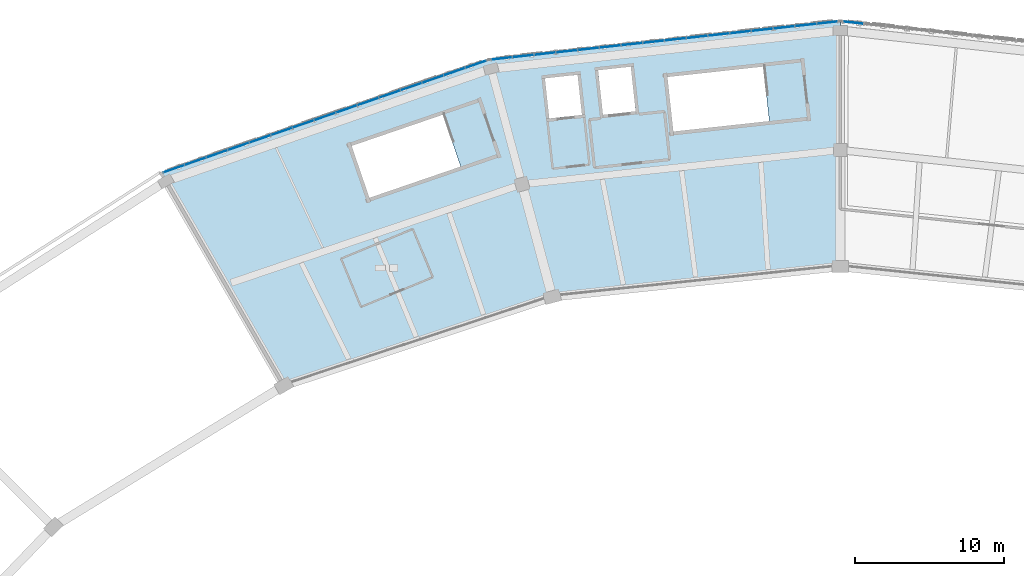
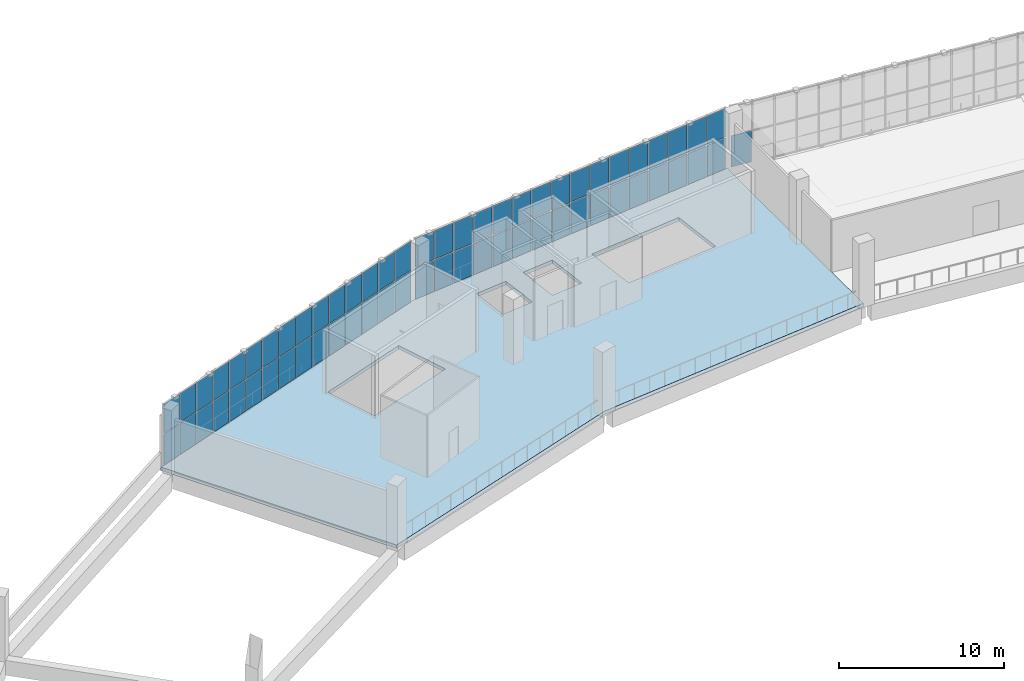
# One storey, part 40 of 64: 63 plates, 1 slab, 3 elements without a shape of their own.
"""IFC4 building model written with IfcOpenShell, lengths in metres."""

import ifcopenshell
import ifcopenshell.guid

model = None  # the IFC model being written
_history = None  # IfcOwnerHistory: only IFC2X3 demands one
_inside = {}  # id of a spatial element -> (the spatial element, [elements in it])
_under = {}  # id of a project, library or spatial element -> (it, [spatial elements below it])
_declared = {}  # id of a project -> (the project, [libraries it declares])
_typed = {}  # id of a type object -> (the type object, [elements of that type])
_made_of = {}  # id of a material, layer set ... -> (it, [elements and type objects made of it])


def new_model(schema):
    """Start an empty IFC model of exactly this schema.

    Asked for "IFC4X3", IfcOpenShell would pick the latest addendum, in which some entities
    have other attributes; the version numbers below select the first issue.
    IFC2X3 requires an IfcOwnerHistory on every rooted entity: one is made here for all.
    """
    global model, _history
    if schema == "IFC4X3":
        model = ifcopenshell.file(schema_version=(4, 3, 0, 0))
    else:
        model = ifcopenshell.file(schema=schema)
    _inside.clear()
    _under.clear()
    _declared.clear()
    _typed.clear()
    _made_of.clear()
    _history = None
    if model.schema == "IFC2X3":
        org = make("IfcOrganization", Name="unknown")
        user = make(
            "IfcPersonAndOrganization",
            ThePerson=make("IfcPerson", FamilyName="unknown"),
            TheOrganization=org,
        )
        app = make(
            "IfcApplication",
            ApplicationDeveloper=org,
            Version="unknown",
            ApplicationFullName="unknown",
            ApplicationIdentifier="unknown",
        )
        _history = make(
            "IfcOwnerHistory",
            OwningUser=user,
            OwningApplication=app,
            ChangeAction="ADDED",
            CreationDate=0,
        )
    return model


def make(cls, **values):
    """One entity of the class cls with the attributes given. An attribute that is None is left unset."""
    return model.create_entity(
        cls, **{name: value for name, value in values.items() if value is not None}
    )


def rooted(cls, **values):
    """An entity with a GlobalId (a new one), such as an element, a storey or a relation."""
    return make(cls, GlobalId=ifcopenshell.guid.new(), OwnerHistory=_history, **values)


def si_unit(unit_type, name, prefix=None):
    """IfcSIUnit, for example si_unit("LENGTHUNIT", "METRE", prefix="MILLI")."""
    return make("IfcSIUnit", UnitType=unit_type, Prefix=prefix, Name=name)


def assignment(units):
    """IfcUnitAssignment: the units of a project."""
    return None if units is None else make("IfcUnitAssignment", Units=units)


def point(xyz):
    """IfcCartesianPoint."""
    return None if xyz is None else make("IfcCartesianPoint", Coordinates=xyz)


def direction(xyz):
    """IfcDirection."""
    return None if xyz is None else make("IfcDirection", DirectionRatios=xyz)


def frame(location, z_axis=None, x_axis=None):
    """IfcAxis2Placement3D, a coordinate frame: its origin and axes. An axis left out is left unset."""
    return make(
        "IfcAxis2Placement3D",
        Location=point(location),
        Axis=direction(z_axis),
        RefDirection=direction(x_axis),
    )


def frame_2d(location, x_axis=None):
    """IfcAxis2Placement2D, a coordinate frame in the plane: its origin and x axis."""
    return make(
        "IfcAxis2Placement2D", Location=point(location), RefDirection=direction(x_axis)
    )


def origin():
    """The frame at (0, 0, 0) with its axes left unset."""
    return frame((0.0, 0.0, 0.0))


def origin_2d():
    """The frame at (0, 0) in the plane with its x axis left unset."""
    return frame_2d((0.0, 0.0))


def place(relative_to, where):
    """IfcLocalPlacement: puts the frame where relative to a parent placement (None: the world)."""
    return make(
        "IfcLocalPlacement", PlacementRelTo=relative_to, RelativePlacement=where
    )


def context(
    kind, dimensions, precision=None, world=None, true_north=None, identifier=None
):
    """IfcGeometricRepresentationContext, for example the 3D "Model" context."""
    return make(
        "IfcGeometricRepresentationContext",
        ContextIdentifier=identifier,
        ContextType=kind,
        CoordinateSpaceDimension=dimensions,
        Precision=precision,
        WorldCoordinateSystem=world,
        TrueNorth=true_north,
    )


def subcontext(parent, identifier, kind, view, scale=None):
    """IfcGeometricRepresentationSubContext, for example "Body" below "Model"."""
    return make(
        "IfcGeometricRepresentationSubContext",
        ContextIdentifier=identifier,
        ContextType=kind,
        ParentContext=parent,
        TargetScale=scale,
        TargetView=view,
    )


def project(units=None, contexts=None):
    """IfcProject with its units and contexts."""
    return rooted(
        "IfcProject",
        Name="project",
        RepresentationContexts=contexts,
        UnitsInContext=assignment(units),
    )


def spatial(cls, under=None, at=None, **own):
    """A site, building, storey or space (cls), placed at a placement, below another one or the project."""
    s = rooted(cls, ObjectPlacement=at, **own)
    if under is not None:
        _under.setdefault(under.id(), (under, []))[1].append(s)
    return s


def polyline(points):
    """IfcPolyline through the points."""
    return make("IfcPolyline", Points=[point(p) for p in points])


def profile(cls, at=None, kind="AREA", **sizes):
    """A parametric profile (cls). Its sizes go by their IFC names, for example OverallWidth=200.0."""
    return make(cls, ProfileType=kind, Position=at, **sizes)


def rectangle(**sizes):
    """IfcRectangleProfileDef."""
    return profile("IfcRectangleProfileDef", **sizes)


def outline(outer, holes=None, kind="AREA"):
    """IfcArbitraryClosedProfileDef: a profile drawn as a closed curve; with holes, ...WithVoids."""
    if holes is None:
        return make("IfcArbitraryClosedProfileDef", ProfileType=kind, OuterCurve=outer)
    return make(
        "IfcArbitraryProfileDefWithVoids",
        ProfileType=kind,
        OuterCurve=outer,
        InnerCurves=holes,
    )


def extrude(swept, where, along, depth):
    """IfcExtrudedAreaSolid: the profile swept, set in the frame where, extruded along a direction by depth."""
    return make(
        "IfcExtrudedAreaSolid",
        SweptArea=swept,
        Position=where,
        ExtrudedDirection=direction(along),
        Depth=depth,
    )


def shape(context_of_items, identifier, shape_type, items):
    """IfcShapeRepresentation: the items that make up one representation, for example the "Body"."""
    return make(
        "IfcShapeRepresentation",
        ContextOfItems=context_of_items,
        RepresentationIdentifier=identifier,
        RepresentationType=shape_type,
        Items=items,
    )


def material(Name=None, Category=None):
    """IfcMaterial."""
    return make("IfcMaterial", Name=Name, Category=Category)


def layer(
    of_material, thickness, ventilated=None, Name=None, Category=None, Priority=None
):
    """IfcMaterialLayer: one layer of a wall or slab, of a material (None: an air gap)."""
    return make(
        "IfcMaterialLayer",
        Material=of_material,
        LayerThickness=thickness,
        IsVentilated=ventilated,
        Name=Name,
        Category=Category,
        Priority=Priority,
    )


def layer_set(layers, Name=None):
    """IfcMaterialLayerSet."""
    return make("IfcMaterialLayerSet", MaterialLayers=layers, LayerSetName=Name)


def made_of(thing, what):
    """Note that an element or type object is made of a material, layer set ...; save() writes the relation."""
    if what is not None:
        _made_of.setdefault(what.id(), (what, []))[1].append(thing)
    return thing


def type_object(cls, material=None, **own):
    """A type object (cls), such as IfcWallType, which elements share."""
    return made_of(rooted(cls, **own), material)


def element(
    cls,
    number,
    at=None,
    inside=None,
    cuts=None,
    type_object=None,
    material=None,
    context=None,
    identifier="Body",
    shape_type=None,
    held_by="IfcProductDefinitionShape",
    body=None,
    shapes=None,
    **own,
):
    """One element of the class cls, such as IfcWall. Its Tag is "e" and its number.

    at: its placement. inside: the storey or other place that contains it. cuts: it is an
    opening in that element (IfcRelVoidsElement). A single representation is given by context,
    identifier, shape_type and body (its items); several are given by shapes. held_by: the class
    of the entity that holds the representations. save() writes the other relations.
    """
    e = rooted(cls, Tag="e%d" % number, ObjectPlacement=at, **own)
    if body is not None:
        shapes = [shape(context, identifier, shape_type, body)]
    if shapes is not None:
        e.Representation = make(held_by, Representations=shapes)
    if inside is not None:
        _inside.setdefault(inside.id(), (inside, []))[1].append(e)
    if cuts is not None:
        rooted(
            "IfcRelVoidsElement", RelatingBuildingElement=cuts, RelatedOpeningElement=e
        )
    if type_object is not None:
        _typed.setdefault(type_object.id(), (type_object, []))[1].append(e)
    return made_of(e, material)


def aggregate(whole, parts):
    """IfcRelAggregates: a whole, such as a stair, and the parts it consists of."""
    return rooted("IfcRelAggregates", RelatingObject=whole, RelatedObjects=parts)


def save(model, path):
    """Write the relations noted so far, then the file.

    IfcRelAggregates (storeys below a building ...), IfcRelContainedInSpatialStructure (elements
    in a storey), IfcRelDefinesByType, IfcRelAssociatesMaterial and IfcRelDeclares: one each for
    every whole, place, type object, material and project.
    """
    for whole, parts in _under.values():
        aggregate(whole, parts)
    for where, things in _inside.values():
        rooted(
            "IfcRelContainedInSpatialStructure",
            RelatedElements=things,
            RelatingStructure=where,
        )
    for kind, things in _typed.values():
        rooted("IfcRelDefinesByType", RelatedObjects=things, RelatingType=kind)
    for what, things in _made_of.values():
        rooted("IfcRelAssociatesMaterial", RelatedObjects=things, RelatingMaterial=what)
    for by, libraries in _declared.values():
        rooted("IfcRelDeclares", RelatingContext=by, RelatedDefinitions=libraries)
    model.write(path)


model = new_model("IFC4")

# Units and contexts
model_context = context("Model", 3, precision=1e-05, world=origin(), true_north=direction((0.0, 1.0)))
body_context = subcontext(model_context, "Body", "Model", "MODEL_VIEW")
ifc_project = project(units=[si_unit("LENGTHUNIT", "METRE"), si_unit("AREAUNIT", "SQUARE_METRE"), si_unit("VOLUMEUNIT", "CUBIC_METRE"), si_unit("PLANEANGLEUNIT", "RADIAN"), si_unit("MASSUNIT", "GRAM", prefix="KILO")], contexts=[model_context])

# Site, building, storey
site_placement = place(None, origin())
site = spatial("IfcSite", under=ifc_project, at=site_placement, CompositionType="ELEMENT")
building_placement = place(site_placement, origin())
building = spatial("IfcBuilding", under=site, at=building_placement, Name="Zevraka Park Crest Stadium", CompositionType="ELEMENT")
storey_placement = place(building_placement, frame((0.0, 0.0, 24.60009765625)))
storey = spatial("IfcBuildingStorey", under=building, at=storey_placement, Name="L05", CompositionType="ELEMENT", Elevation=24.60009765625)

# Curtain wall, plate
ifc_material_1 = material(Name="Anodised architectural aluminium and laminated safety glass", Category="aluminium")
curtain_wall_type_1 = type_object("IfcCurtainWallType", Name="CW21", PredefinedType="NOTDEFINED", material=ifc_material_1)
curtain_wall_1_placement = place(storey_placement, origin())
curtain_wall_1 = element("IfcCurtainWall", 1, at=curtain_wall_1_placement, inside=storey, type_object=curtain_wall_type_1, Name="Unitised Ring Curtain Wall CW21 L05-05", PredefinedType="NOTDEFINED")
ifc_material_2 = material(Name="Solar-control laminated double glazing", Category="glass")
ifc_layer_1 = layer(ifc_material_2, 0.031982421875)
ifc_layer_set_1 = layer_set([ifc_layer_1], Name="Solar-control laminated double glazing")
plate_type_1 = type_object("IfcPlateType", Name="CP21", PredefinedType="CURTAIN_PANEL", material=ifc_layer_set_1)
plate_1_placement = place(storey_placement, frame((112.874755859375, 167.822998046875, 0.06982421875), z_axis=(0.0, 0.0, 1.0), x_axis=(-0.994010156572, 0.109287733215, 0.0)))
plate_1 = element("IfcPlate", 2, at=plate_1_placement, type_object=plate_type_1, Name="CW21 panel 16.1", PredefinedType="CURTAIN_PANEL", context=body_context, shape_type="SweptSolid", body=[
    extrude(rectangle(XDim=1.3583984375, YDim=0.031982421875, at=origin_2d()), origin(), (0.0, 0.0, 1.0), 2.294921875),
])
aggregate(curtain_wall_1, [plate_1])

# Curtain wall, plates
curtain_wall_2_placement = place(storey_placement, origin())
curtain_wall_2 = element("IfcCurtainWall", 3, at=curtain_wall_2_placement, inside=storey, type_object=curtain_wall_type_1, Name="Unitised Ring Curtain Wall CW21 L05-06", PredefinedType="NOTDEFINED")
plate_2_placement = place(storey_placement, frame((111.125244140625, 167.822998046875, 0.06982421875), z_axis=(0.0, 0.0, 1.0), x_axis=(-0.994010156572, -0.109287733215, 0.0)))
plate_2 = element("IfcPlate", 4, at=plate_2_placement, type_object=plate_type_1, Name="CW21 panel 1.1", PredefinedType="CURTAIN_PANEL", context=body_context, shape_type="SweptSolid", body=[
    extrude(rectangle(XDim=1.3583984375, YDim=0.031982421875, at=origin_2d()), origin(), (0.0, 0.0, 1.0), 2.294921875),
])
plate_3_placement = place(storey_placement, frame((111.125244140625, 167.822998046875, 2.43505859375), z_axis=(0.0, 0.0, 1.0), x_axis=(-0.994010156572, -0.109287733215, 0.0)))
plate_3 = element("IfcPlate", 5, at=plate_3_placement, type_object=plate_type_1, Name="CW21 panel 1.2", PredefinedType="CURTAIN_PANEL", context=body_context, shape_type="SweptSolid", body=[
    extrude(rectangle(XDim=1.3583984375, YDim=0.031982421875, at=origin_2d()), origin(), (0.0, 0.0, 1.0), 2.114990234375),
])
plate_4_placement = place(storey_placement, frame((109.68798828125, 167.6650390625, 0.06982421875), z_axis=(0.0, 0.0, 1.0), x_axis=(-0.994010156572, -0.109287733215, 0.0)))
plate_4 = element("IfcPlate", 6, at=plate_4_placement, type_object=plate_type_1, Name="CW21 panel 2.1", PredefinedType="CURTAIN_PANEL", context=body_context, shape_type="SweptSolid", body=[
    extrude(rectangle(XDim=1.3935546875, YDim=0.031982421875, at=origin_2d()), origin(), (0.0, 0.0, 1.0), 2.294921875),
])
plate_5_placement = place(storey_placement, frame((109.68798828125, 167.6650390625, 2.43505859375), z_axis=(0.0, 0.0, 1.0), x_axis=(-0.994010156572, -0.109287733215, 0.0)))
plate_5 = element("IfcPlate", 7, at=plate_5_placement, type_object=plate_type_1, Name="CW21 panel 2.2", PredefinedType="CURTAIN_PANEL", context=body_context, shape_type="SweptSolid", body=[
    extrude(rectangle(XDim=1.3935546875, YDim=0.031982421875, at=origin_2d()), origin(), (0.0, 0.0, 1.0), 2.114990234375),
])
plate_6_placement = place(storey_placement, frame((108.2333984375, 167.505126953125, 0.06982421875), z_axis=(0.0, 0.0, 1.0), x_axis=(-0.994010156572, -0.109287733215, 0.0)))
plate_6 = element("IfcPlate", 8, at=plate_6_placement, type_object=plate_type_1, Name="CW21 panel 3.1", PredefinedType="CURTAIN_PANEL", context=body_context, shape_type="SweptSolid", body=[
    extrude(rectangle(XDim=1.3935546875, YDim=0.031982421875, at=origin_2d()), origin(), (0.0, 0.0, 1.0), 2.294921875),
])
plate_7_placement = place(storey_placement, frame((108.2333984375, 167.505126953125, 2.43505859375), z_axis=(0.0, 0.0, 1.0), x_axis=(-0.994010156572, -0.109287733215, 0.0)))
plate_7 = element("IfcPlate", 9, at=plate_7_placement, type_object=plate_type_1, Name="CW21 panel 3.2", PredefinedType="CURTAIN_PANEL", context=body_context, shape_type="SweptSolid", body=[
    extrude(rectangle(XDim=1.3935546875, YDim=0.031982421875, at=origin_2d()), origin(), (0.0, 0.0, 1.0), 2.114990234375),
])
plate_8_placement = place(storey_placement, frame((106.778564453125, 167.34521484375, 0.06982421875), z_axis=(0.0, 0.0, 1.0), x_axis=(-0.994010156572, -0.109287733215, 0.0)))
plate_8 = element("IfcPlate", 10, at=plate_8_placement, type_object=plate_type_1, Name="CW21 panel 4.1", PredefinedType="CURTAIN_PANEL", context=body_context, shape_type="SweptSolid", body=[
    extrude(rectangle(XDim=1.3935546875, YDim=0.031982421875, at=origin_2d()), origin(), (0.0, 0.0, 1.0), 2.294921875),
])
plate_9_placement = place(storey_placement, frame((106.778564453125, 167.34521484375, 2.43505859375), z_axis=(0.0, 0.0, 1.0), x_axis=(-0.994010156572, -0.109287733215, 0.0)))
plate_9 = element("IfcPlate", 11, at=plate_9_placement, type_object=plate_type_1, Name="CW21 panel 4.2", PredefinedType="CURTAIN_PANEL", context=body_context, shape_type="SweptSolid", body=[
    extrude(rectangle(XDim=1.3935546875, YDim=0.031982421875, at=origin_2d()), origin(), (0.0, 0.0, 1.0), 2.114990234375),
])
plate_10_placement = place(storey_placement, frame((105.323974609375, 167.185302734375, 0.06982421875), z_axis=(0.0, 0.0, 1.0), x_axis=(-0.994010156572, -0.109287733215, 0.0)))
plate_10 = element("IfcPlate", 12, at=plate_10_placement, type_object=plate_type_1, Name="CW21 panel 5.1", PredefinedType="CURTAIN_PANEL", context=body_context, shape_type="SweptSolid", body=[
    extrude(rectangle(XDim=1.3935546875, YDim=0.031982421875, at=origin_2d()), origin(), (0.0, 0.0, 1.0), 2.294921875),
])
plate_11_placement = place(storey_placement, frame((105.323974609375, 167.185302734375, 2.43505859375), z_axis=(0.0, 0.0, 1.0), x_axis=(-0.994010156572, -0.109287733215, 0.0)))
plate_11 = element("IfcPlate", 13, at=plate_11_placement, type_object=plate_type_1, Name="CW21 panel 5.2", PredefinedType="CURTAIN_PANEL", context=body_context, shape_type="SweptSolid", body=[
    extrude(rectangle(XDim=1.3935546875, YDim=0.031982421875, at=origin_2d()), origin(), (0.0, 0.0, 1.0), 2.114990234375),
])
plate_12_placement = place(storey_placement, frame((103.869140625, 167.025390625, 0.06982421875), z_axis=(0.0, 0.0, 1.0), x_axis=(-0.994010156572, -0.109287733215, 0.0)))
plate_12 = element("IfcPlate", 14, at=plate_12_placement, type_object=plate_type_1, Name="CW21 panel 6.1", PredefinedType="CURTAIN_PANEL", context=body_context, shape_type="SweptSolid", body=[
    extrude(rectangle(XDim=1.3935546875, YDim=0.031982421875, at=origin_2d()), origin(), (0.0, 0.0, 1.0), 2.294921875),
])
plate_13_placement = place(storey_placement, frame((103.869140625, 167.025390625, 2.43505859375), z_axis=(0.0, 0.0, 1.0), x_axis=(-0.994010156572, -0.109287733215, 0.0)))
plate_13 = element("IfcPlate", 15, at=plate_13_placement, type_object=plate_type_1, Name="CW21 panel 6.2", PredefinedType="CURTAIN_PANEL", context=body_context, shape_type="SweptSolid", body=[
    extrude(rectangle(XDim=1.3935546875, YDim=0.031982421875, at=origin_2d()), origin(), (0.0, 0.0, 1.0), 2.114990234375),
])
plate_14_placement = place(storey_placement, frame((102.41455078125, 166.865478515625, 0.06982421875), z_axis=(0.0, 0.0, 1.0), x_axis=(-0.994010156572, -0.109287733215, 0.0)))
plate_14 = element("IfcPlate", 16, at=plate_14_placement, type_object=plate_type_1, Name="CW21 panel 7.1", PredefinedType="CURTAIN_PANEL", context=body_context, shape_type="SweptSolid", body=[
    extrude(rectangle(XDim=1.3935546875, YDim=0.031982421875, at=origin_2d()), origin(), (0.0, 0.0, 1.0), 2.294921875),
])
plate_15_placement = place(storey_placement, frame((102.41455078125, 166.865478515625, 2.43505859375), z_axis=(0.0, 0.0, 1.0), x_axis=(-0.994010156572, -0.109287733215, 0.0)))
plate_15 = element("IfcPlate", 17, at=plate_15_placement, type_object=plate_type_1, Name="CW21 panel 7.2", PredefinedType="CURTAIN_PANEL", context=body_context, shape_type="SweptSolid", body=[
    extrude(rectangle(XDim=1.3935546875, YDim=0.031982421875, at=origin_2d()), origin(), (0.0, 0.0, 1.0), 2.114990234375),
])
plate_16_placement = place(storey_placement, frame((100.9599609375, 166.70556640625, 0.06982421875), z_axis=(0.0, 0.0, 1.0), x_axis=(-0.994010156572, -0.109287733215, 0.0)))
plate_16 = element("IfcPlate", 18, at=plate_16_placement, type_object=plate_type_1, Name="CW21 panel 8.1", PredefinedType="CURTAIN_PANEL", context=body_context, shape_type="SweptSolid", body=[
    extrude(rectangle(XDim=1.3935546875, YDim=0.031982421875, at=origin_2d()), origin(), (0.0, 0.0, 1.0), 2.294921875),
])
plate_17_placement = place(storey_placement, frame((100.9599609375, 166.70556640625, 2.43505859375), z_axis=(0.0, 0.0, 1.0), x_axis=(-0.994010156572, -0.109287733215, 0.0)))
plate_17 = element("IfcPlate", 19, at=plate_17_placement, type_object=plate_type_1, Name="CW21 panel 8.2", PredefinedType="CURTAIN_PANEL", context=body_context, shape_type="SweptSolid", body=[
    extrude(rectangle(XDim=1.3935546875, YDim=0.031982421875, at=origin_2d()), origin(), (0.0, 0.0, 1.0), 2.114990234375),
])
plate_18_placement = place(storey_placement, frame((99.505126953125, 166.54541015625, 0.06982421875), z_axis=(0.0, 0.0, 1.0), x_axis=(-0.994010156572, -0.109287733215, 0.0)))
plate_18 = element("IfcPlate", 20, at=plate_18_placement, type_object=plate_type_1, Name="CW21 panel 9.1", PredefinedType="CURTAIN_PANEL", context=body_context, shape_type="SweptSolid", body=[
    extrude(rectangle(XDim=1.3935546875, YDim=0.031982421875, at=origin_2d()), origin(), (0.0, 0.0, 1.0), 2.294921875),
])
plate_19_placement = place(storey_placement, frame((99.505126953125, 166.54541015625, 2.43505859375), z_axis=(0.0, 0.0, 1.0), x_axis=(-0.994010156572, -0.109287733215, 0.0)))
plate_19 = element("IfcPlate", 21, at=plate_19_placement, type_object=plate_type_1, Name="CW21 panel 9.2", PredefinedType="CURTAIN_PANEL", context=body_context, shape_type="SweptSolid", body=[
    extrude(rectangle(XDim=1.3935546875, YDim=0.031982421875, at=origin_2d()), origin(), (0.0, 0.0, 1.0), 2.114990234375),
])
plate_20_placement = place(storey_placement, frame((98.050537109375, 166.385498046875, 0.06982421875), z_axis=(0.0, 0.0, 1.0), x_axis=(-0.994010156572, -0.109287733215, 0.0)))
plate_20 = element("IfcPlate", 22, at=plate_20_placement, type_object=plate_type_1, Name="CW21 panel 10.1", PredefinedType="CURTAIN_PANEL", context=body_context, shape_type="SweptSolid", body=[
    extrude(rectangle(XDim=1.3935546875, YDim=0.031982421875, at=origin_2d()), origin(), (0.0, 0.0, 1.0), 2.294921875),
])
plate_21_placement = place(storey_placement, frame((98.050537109375, 166.385498046875, 2.43505859375), z_axis=(0.0, 0.0, 1.0), x_axis=(-0.994010156572, -0.109287733215, 0.0)))
plate_21 = element("IfcPlate", 23, at=plate_21_placement, type_object=plate_type_1, Name="CW21 panel 10.2", PredefinedType="CURTAIN_PANEL", context=body_context, shape_type="SweptSolid", body=[
    extrude(rectangle(XDim=1.3935546875, YDim=0.031982421875, at=origin_2d()), origin(), (0.0, 0.0, 1.0), 2.114990234375),
])
plate_22_placement = place(storey_placement, frame((96.595703125, 166.2255859375, 0.06982421875), z_axis=(0.0, 0.0, 1.0), x_axis=(-0.994010156572, -0.109287733215, 0.0)))
plate_22 = element("IfcPlate", 24, at=plate_22_placement, type_object=plate_type_1, Name="CW21 panel 11.1", PredefinedType="CURTAIN_PANEL", context=body_context, shape_type="SweptSolid", body=[
    extrude(rectangle(XDim=1.3935546875, YDim=0.031982421875, at=origin_2d()), origin(), (0.0, 0.0, 1.0), 2.294921875),
])
plate_23_placement = place(storey_placement, frame((96.595703125, 166.2255859375, 2.43505859375), z_axis=(0.0, 0.0, 1.0), x_axis=(-0.994010156572, -0.109287733215, 0.0)))
plate_23 = element("IfcPlate", 25, at=plate_23_placement, type_object=plate_type_1, Name="CW21 panel 11.2", PredefinedType="CURTAIN_PANEL", context=body_context, shape_type="SweptSolid", body=[
    extrude(rectangle(XDim=1.3935546875, YDim=0.031982421875, at=origin_2d()), origin(), (0.0, 0.0, 1.0), 2.114990234375),
])
plate_24_placement = place(storey_placement, frame((95.14111328125, 166.065673828125, 0.06982421875), z_axis=(0.0, 0.0, 1.0), x_axis=(-0.994010156572, -0.109287733215, 0.0)))
plate_24 = element("IfcPlate", 26, at=plate_24_placement, type_object=plate_type_1, Name="CW21 panel 12.1", PredefinedType="CURTAIN_PANEL", context=body_context, shape_type="SweptSolid", body=[
    extrude(rectangle(XDim=1.3935546875, YDim=0.031982421875, at=origin_2d()), origin(), (0.0, 0.0, 1.0), 2.294921875),
])
plate_25_placement = place(storey_placement, frame((95.14111328125, 166.065673828125, 2.43505859375), z_axis=(0.0, 0.0, 1.0), x_axis=(-0.994010156572, -0.109287733215, 0.0)))
plate_25 = element("IfcPlate", 27, at=plate_25_placement, type_object=plate_type_1, Name="CW21 panel 12.2", PredefinedType="CURTAIN_PANEL", context=body_context, shape_type="SweptSolid", body=[
    extrude(rectangle(XDim=1.3935546875, YDim=0.031982421875, at=origin_2d()), origin(), (0.0, 0.0, 1.0), 2.114990234375),
])
plate_26_placement = place(storey_placement, frame((93.6865234375, 165.90576171875, 0.06982421875), z_axis=(0.0, 0.0, 1.0), x_axis=(-0.994010156572, -0.109287733215, 0.0)))
plate_26 = element("IfcPlate", 28, at=plate_26_placement, type_object=plate_type_1, Name="CW21 panel 13.1", PredefinedType="CURTAIN_PANEL", context=body_context, shape_type="SweptSolid", body=[
    extrude(rectangle(XDim=1.3935546875, YDim=0.031982421875, at=origin_2d()), origin(), (0.0, 0.0, 1.0), 2.294921875),
])
plate_27_placement = place(storey_placement, frame((93.6865234375, 165.90576171875, 2.43505859375), z_axis=(0.0, 0.0, 1.0), x_axis=(-0.994010156572, -0.109287733215, 0.0)))
plate_27 = element("IfcPlate", 29, at=plate_27_placement, type_object=plate_type_1, Name="CW21 panel 13.2", PredefinedType="CURTAIN_PANEL", context=body_context, shape_type="SweptSolid", body=[
    extrude(rectangle(XDim=1.3935546875, YDim=0.031982421875, at=origin_2d()), origin(), (0.0, 0.0, 1.0), 2.114990234375),
])
plate_28_placement = place(storey_placement, frame((92.231689453125, 165.745849609375, 0.06982421875), z_axis=(0.0, 0.0, 1.0), x_axis=(-0.994010156572, -0.109287733215, 0.0)))
plate_28 = element("IfcPlate", 30, at=plate_28_placement, type_object=plate_type_1, Name="CW21 panel 14.1", PredefinedType="CURTAIN_PANEL", context=body_context, shape_type="SweptSolid", body=[
    extrude(rectangle(XDim=1.3935546875, YDim=0.031982421875, at=origin_2d()), origin(), (0.0, 0.0, 1.0), 2.294921875),
])
plate_29_placement = place(storey_placement, frame((92.231689453125, 165.745849609375, 2.43505859375), z_axis=(0.0, 0.0, 1.0), x_axis=(-0.994010156572, -0.109287733215, 0.0)))
plate_29 = element("IfcPlate", 31, at=plate_29_placement, type_object=plate_type_1, Name="CW21 panel 14.2", PredefinedType="CURTAIN_PANEL", context=body_context, shape_type="SweptSolid", body=[
    extrude(rectangle(XDim=1.3935546875, YDim=0.031982421875, at=origin_2d()), origin(), (0.0, 0.0, 1.0), 2.114990234375),
])
plate_30_placement = place(storey_placement, frame((90.777099609375, 165.5859375, 0.06982421875), z_axis=(0.0, 0.0, 1.0), x_axis=(-0.994010156572, -0.109287733215, 0.0)))
plate_30 = element("IfcPlate", 32, at=plate_30_placement, type_object=plate_type_1, Name="CW21 panel 15.1", PredefinedType="CURTAIN_PANEL", context=body_context, shape_type="SweptSolid", body=[
    extrude(rectangle(XDim=1.3935546875, YDim=0.031982421875, at=origin_2d()), origin(), (0.0, 0.0, 1.0), 2.294921875),
])
plate_31_placement = place(storey_placement, frame((90.777099609375, 165.5859375, 2.43505859375), z_axis=(0.0, 0.0, 1.0), x_axis=(-0.994010156572, -0.109287733215, 0.0)))
plate_31 = element("IfcPlate", 33, at=plate_31_placement, type_object=plate_type_1, Name="CW21 panel 15.2", PredefinedType="CURTAIN_PANEL", context=body_context, shape_type="SweptSolid", body=[
    extrude(rectangle(XDim=1.3935546875, YDim=0.031982421875, at=origin_2d()), origin(), (0.0, 0.0, 1.0), 2.114990234375),
])
plate_32_placement = place(storey_placement, frame((89.33984375, 165.427978515625, 0.06982421875), z_axis=(0.0, 0.0, 1.0), x_axis=(-0.994010156572, -0.109287733215, 0.0)))
plate_32 = element("IfcPlate", 34, at=plate_32_placement, type_object=plate_type_1, Name="CW21 panel 16.1", PredefinedType="CURTAIN_PANEL", context=body_context, shape_type="SweptSolid", body=[
    extrude(rectangle(XDim=1.3583984375, YDim=0.031982421875, at=origin_2d()), origin(), (0.0, 0.0, 1.0), 2.294921875),
])
plate_33_placement = place(storey_placement, frame((89.33984375, 165.427978515625, 2.43505859375), z_axis=(0.0, 0.0, 1.0), x_axis=(-0.994010156572, -0.109287733215, 0.0)))
plate_33 = element("IfcPlate", 35, at=plate_33_placement, type_object=plate_type_1, Name="CW21 panel 16.2", PredefinedType="CURTAIN_PANEL", context=body_context, shape_type="SweptSolid", body=[
    extrude(rectangle(XDim=1.3583984375, YDim=0.031982421875, at=origin_2d()), origin(), (0.0, 0.0, 1.0), 2.114990234375),
])
aggregate(curtain_wall_2, [plate_2, plate_3, plate_4, plate_5, plate_6, plate_7, plate_8, plate_9, plate_10, plate_11, plate_12, plate_13, plate_14, plate_15, plate_16, plate_17, plate_18, plate_19, plate_20, plate_21, plate_22, plate_23, plate_24, plate_25, plate_26, plate_27, plate_28, plate_29, plate_30, plate_31, plate_32, plate_33])

ifc_material_3 = material(Name="Anodised architectural aluminium and laminated safety glass", Category="aluminium")
curtain_wall_type_2 = type_object("IfcCurtainWallType", Name="CW22", PredefinedType="NOTDEFINED", material=ifc_material_3)
curtain_wall_3_placement = place(storey_placement, origin())
curtain_wall_3 = element("IfcCurtainWall", 36, at=curtain_wall_3_placement, inside=storey, type_object=curtain_wall_type_2, Name="Unitised Ring Curtain Wall CW22 L05-07", PredefinedType="NOTDEFINED")
ifc_material_4 = material(Name="Solar-control laminated double glazing", Category="glass")
ifc_layer_2 = layer(ifc_material_4, 0.031982421875)
ifc_layer_set_2 = layer_set([ifc_layer_2], Name="Solar-control laminated double glazing")
plate_type_2 = type_object("IfcPlateType", Name="CP22", PredefinedType="CURTAIN_PANEL", material=ifc_layer_set_2)
plate_34_placement = place(storey_placement, frame((87.60400390625, 165.0341796875, 0.059814453125), z_axis=(0.0, 0.0, 1.0), x_axis=(-0.945048755979, -0.326929424834, 0.0)))
plate_34 = element("IfcPlate", 37, at=plate_34_placement, type_object=plate_type_2, Name="CW22 panel 1.1", PredefinedType="CURTAIN_PANEL", context=body_context, shape_type="SweptSolid", body=[
    extrude(rectangle(XDim=1.439697265625, YDim=0.031982421875, at=origin_2d()), origin(), (0.0, 0.0, 1.0), 2.31005859375),
])
plate_35_placement = place(storey_placement, frame((87.60400390625, 165.0341796875, 2.429931640625), z_axis=(0.0, 0.0, 1.0), x_axis=(-0.945048755979, -0.326929424834, 0.0)))
plate_35 = element("IfcPlate", 38, at=plate_35_placement, type_object=plate_type_2, Name="CW22 panel 1.2", PredefinedType="CURTAIN_PANEL", context=body_context, shape_type="SweptSolid", body=[
    extrude(rectangle(XDim=1.439697265625, YDim=0.031982421875, at=origin_2d()), origin(), (0.0, 0.0, 1.0), 2.1298828125),
])
plate_36_placement = place(storey_placement, frame((86.172607421875, 164.538818359375, 0.059814453125), z_axis=(0.0, 0.0, 1.0), x_axis=(-0.945048755979, -0.326929424834, 0.0)))
plate_36 = element("IfcPlate", 39, at=plate_36_placement, type_object=plate_type_2, Name="CW22 panel 2.1", PredefinedType="CURTAIN_PANEL", context=body_context, shape_type="SweptSolid", body=[
    extrude(rectangle(XDim=1.469482421875, YDim=0.031982421875, at=origin_2d()), origin(), (0.0, 0.0, 1.0), 2.31005859375),
])
plate_37_placement = place(storey_placement, frame((86.172607421875, 164.538818359375, 2.429931640625), z_axis=(0.0, 0.0, 1.0), x_axis=(-0.945048755979, -0.326929424834, 0.0)))
plate_37 = element("IfcPlate", 40, at=plate_37_placement, type_object=plate_type_2, Name="CW22 panel 2.2", PredefinedType="CURTAIN_PANEL", context=body_context, shape_type="SweptSolid", body=[
    extrude(rectangle(XDim=1.469482421875, YDim=0.031982421875, at=origin_2d()), origin(), (0.0, 0.0, 1.0), 2.1298828125),
])
plate_38_placement = place(storey_placement, frame((84.72705078125, 164.038818359375, 0.059814453125), z_axis=(0.0, 0.0, 1.0), x_axis=(-0.945048755979, -0.326929424834, 0.0)))
plate_38 = element("IfcPlate", 41, at=plate_38_placement, type_object=plate_type_2, Name="CW22 panel 3.1", PredefinedType="CURTAIN_PANEL", context=body_context, shape_type="SweptSolid", body=[
    extrude(rectangle(XDim=1.469482421875, YDim=0.031982421875, at=origin_2d()), origin(), (0.0, 0.0, 1.0), 2.31005859375),
])
plate_39_placement = place(storey_placement, frame((84.72705078125, 164.038818359375, 2.429931640625), z_axis=(0.0, 0.0, 1.0), x_axis=(-0.945048755979, -0.326929424834, 0.0)))
plate_39 = element("IfcPlate", 42, at=plate_39_placement, type_object=plate_type_2, Name="CW22 panel 3.2", PredefinedType="CURTAIN_PANEL", context=body_context, shape_type="SweptSolid", body=[
    extrude(rectangle(XDim=1.469482421875, YDim=0.031982421875, at=origin_2d()), origin(), (0.0, 0.0, 1.0), 2.1298828125),
])
plate_40_placement = place(storey_placement, frame((83.28173828125, 163.538818359375, 0.059814453125), z_axis=(0.0, 0.0, 1.0), x_axis=(-0.945048755979, -0.326929424834, 0.0)))
plate_40 = element("IfcPlate", 43, at=plate_40_placement, type_object=plate_type_2, Name="CW22 panel 4.1", PredefinedType="CURTAIN_PANEL", context=body_context, shape_type="SweptSolid", body=[
    extrude(rectangle(XDim=1.469482421875, YDim=0.031982421875, at=origin_2d()), origin(), (0.0, 0.0, 1.0), 2.31005859375),
])
plate_41_placement = place(storey_placement, frame((83.28173828125, 163.538818359375, 2.429931640625), z_axis=(0.0, 0.0, 1.0), x_axis=(-0.945048755979, -0.326929424834, 0.0)))
plate_41 = element("IfcPlate", 44, at=plate_41_placement, type_object=plate_type_2, Name="CW22 panel 4.2", PredefinedType="CURTAIN_PANEL", context=body_context, shape_type="SweptSolid", body=[
    extrude(rectangle(XDim=1.469482421875, YDim=0.031982421875, at=origin_2d()), origin(), (0.0, 0.0, 1.0), 2.1298828125),
])
plate_42_placement = place(storey_placement, frame((81.836181640625, 163.038818359375, 0.059814453125), z_axis=(0.0, 0.0, 1.0), x_axis=(-0.945048755979, -0.326929424834, 0.0)))
plate_42 = element("IfcPlate", 45, at=plate_42_placement, type_object=plate_type_2, Name="CW22 panel 5.1", PredefinedType="CURTAIN_PANEL", context=body_context, shape_type="SweptSolid", body=[
    extrude(rectangle(XDim=1.469482421875, YDim=0.031982421875, at=origin_2d()), origin(), (0.0, 0.0, 1.0), 2.31005859375),
])
plate_43_placement = place(storey_placement, frame((81.836181640625, 163.038818359375, 2.429931640625), z_axis=(0.0, 0.0, 1.0), x_axis=(-0.945048755979, -0.326929424834, 0.0)))
plate_43 = element("IfcPlate", 46, at=plate_43_placement, type_object=plate_type_2, Name="CW22 panel 5.2", PredefinedType="CURTAIN_PANEL", context=body_context, shape_type="SweptSolid", body=[
    extrude(rectangle(XDim=1.469482421875, YDim=0.031982421875, at=origin_2d()), origin(), (0.0, 0.0, 1.0), 2.1298828125),
])
plate_44_placement = place(storey_placement, frame((80.390625, 162.53857421875, 0.059814453125), z_axis=(0.0, 0.0, 1.0), x_axis=(-0.945048755979, -0.326929424834, 0.0)))
plate_44 = element("IfcPlate", 47, at=plate_44_placement, type_object=plate_type_2, Name="CW22 panel 6.1", PredefinedType="CURTAIN_PANEL", context=body_context, shape_type="SweptSolid", body=[
    extrude(rectangle(XDim=1.469482421875, YDim=0.031982421875, at=origin_2d()), origin(), (0.0, 0.0, 1.0), 2.31005859375),
])
plate_45_placement = place(storey_placement, frame((80.390625, 162.53857421875, 2.429931640625), z_axis=(0.0, 0.0, 1.0), x_axis=(-0.945048755979, -0.326929424834, 0.0)))
plate_45 = element("IfcPlate", 48, at=plate_45_placement, type_object=plate_type_2, Name="CW22 panel 6.2", PredefinedType="CURTAIN_PANEL", context=body_context, shape_type="SweptSolid", body=[
    extrude(rectangle(XDim=1.469482421875, YDim=0.031982421875, at=origin_2d()), origin(), (0.0, 0.0, 1.0), 2.1298828125),
])
plate_46_placement = place(storey_placement, frame((78.945068359375, 162.03857421875, 0.059814453125), z_axis=(0.0, 0.0, 1.0), x_axis=(-0.945048755979, -0.326929424834, 0.0)))
plate_46 = element("IfcPlate", 49, at=plate_46_placement, type_object=plate_type_2, Name="CW22 panel 7.1", PredefinedType="CURTAIN_PANEL", context=body_context, shape_type="SweptSolid", body=[
    extrude(rectangle(XDim=1.469482421875, YDim=0.031982421875, at=origin_2d()), origin(), (0.0, 0.0, 1.0), 2.31005859375),
])
plate_47_placement = place(storey_placement, frame((78.945068359375, 162.03857421875, 2.429931640625), z_axis=(0.0, 0.0, 1.0), x_axis=(-0.945048755979, -0.326929424834, 0.0)))
plate_47 = element("IfcPlate", 50, at=plate_47_placement, type_object=plate_type_2, Name="CW22 panel 7.2", PredefinedType="CURTAIN_PANEL", context=body_context, shape_type="SweptSolid", body=[
    extrude(rectangle(XDim=1.469482421875, YDim=0.031982421875, at=origin_2d()), origin(), (0.0, 0.0, 1.0), 2.1298828125),
])
plate_48_placement = place(storey_placement, frame((77.49951171875, 161.53857421875, 0.059814453125), z_axis=(0.0, 0.0, 1.0), x_axis=(-0.945048755979, -0.326929424834, 0.0)))
plate_48 = element("IfcPlate", 51, at=plate_48_placement, type_object=plate_type_2, Name="CW22 panel 8.1", PredefinedType="CURTAIN_PANEL", context=body_context, shape_type="SweptSolid", body=[
    extrude(rectangle(XDim=1.469482421875, YDim=0.031982421875, at=origin_2d()), origin(), (0.0, 0.0, 1.0), 2.31005859375),
])
plate_49_placement = place(storey_placement, frame((77.49951171875, 161.53857421875, 2.429931640625), z_axis=(0.0, 0.0, 1.0), x_axis=(-0.945048755979, -0.326929424834, 0.0)))
plate_49 = element("IfcPlate", 52, at=plate_49_placement, type_object=plate_type_2, Name="CW22 panel 8.2", PredefinedType="CURTAIN_PANEL", context=body_context, shape_type="SweptSolid", body=[
    extrude(rectangle(XDim=1.469482421875, YDim=0.031982421875, at=origin_2d()), origin(), (0.0, 0.0, 1.0), 2.1298828125),
])
plate_50_placement = place(storey_placement, frame((76.053955078125, 161.038330078125, 0.059814453125), z_axis=(0.0, 0.0, 1.0), x_axis=(-0.945048755979, -0.326929424834, 0.0)))
plate_50 = element("IfcPlate", 53, at=plate_50_placement, type_object=plate_type_2, Name="CW22 panel 9.1", PredefinedType="CURTAIN_PANEL", context=body_context, shape_type="SweptSolid", body=[
    extrude(rectangle(XDim=1.469482421875, YDim=0.031982421875, at=origin_2d()), origin(), (0.0, 0.0, 1.0), 2.31005859375),
])
plate_51_placement = place(storey_placement, frame((76.053955078125, 161.038330078125, 2.429931640625), z_axis=(0.0, 0.0, 1.0), x_axis=(-0.945048755979, -0.326929424834, 0.0)))
plate_51 = element("IfcPlate", 54, at=plate_51_placement, type_object=plate_type_2, Name="CW22 panel 9.2", PredefinedType="CURTAIN_PANEL", context=body_context, shape_type="SweptSolid", body=[
    extrude(rectangle(XDim=1.469482421875, YDim=0.031982421875, at=origin_2d()), origin(), (0.0, 0.0, 1.0), 2.1298828125),
])
plate_52_placement = place(storey_placement, frame((74.6083984375, 160.538330078125, 0.059814453125), z_axis=(0.0, 0.0, 1.0), x_axis=(-0.945048755979, -0.326929424834, 0.0)))
plate_52 = element("IfcPlate", 55, at=plate_52_placement, type_object=plate_type_2, Name="CW22 panel 10.1", PredefinedType="CURTAIN_PANEL", context=body_context, shape_type="SweptSolid", body=[
    extrude(rectangle(XDim=1.469482421875, YDim=0.031982421875, at=origin_2d()), origin(), (0.0, 0.0, 1.0), 2.31005859375),
])
plate_53_placement = place(storey_placement, frame((74.6083984375, 160.538330078125, 2.429931640625), z_axis=(0.0, 0.0, 1.0), x_axis=(-0.945048755979, -0.326929424834, 0.0)))
plate_53 = element("IfcPlate", 56, at=plate_53_placement, type_object=plate_type_2, Name="CW22 panel 10.2", PredefinedType="CURTAIN_PANEL", context=body_context, shape_type="SweptSolid", body=[
    extrude(rectangle(XDim=1.469482421875, YDim=0.031982421875, at=origin_2d()), origin(), (0.0, 0.0, 1.0), 2.1298828125),
])
plate_54_placement = place(storey_placement, frame((73.162841796875, 160.038330078125, 0.059814453125), z_axis=(0.0, 0.0, 1.0), x_axis=(-0.945048755979, -0.326929424834, 0.0)))
plate_54 = element("IfcPlate", 57, at=plate_54_placement, type_object=plate_type_2, Name="CW22 panel 11.1", PredefinedType="CURTAIN_PANEL", context=body_context, shape_type="SweptSolid", body=[
    extrude(rectangle(XDim=1.469482421875, YDim=0.031982421875, at=origin_2d()), origin(), (0.0, 0.0, 1.0), 2.31005859375),
])
plate_55_placement = place(storey_placement, frame((73.162841796875, 160.038330078125, 2.429931640625), z_axis=(0.0, 0.0, 1.0), x_axis=(-0.945048755979, -0.326929424834, 0.0)))
plate_55 = element("IfcPlate", 58, at=plate_55_placement, type_object=plate_type_2, Name="CW22 panel 11.2", PredefinedType="CURTAIN_PANEL", context=body_context, shape_type="SweptSolid", body=[
    extrude(rectangle(XDim=1.469482421875, YDim=0.031982421875, at=origin_2d()), origin(), (0.0, 0.0, 1.0), 2.1298828125),
])
plate_56_placement = place(storey_placement, frame((71.71728515625, 159.538330078125, 0.059814453125), z_axis=(0.0, 0.0, 1.0), x_axis=(-0.945048755979, -0.326929424834, 0.0)))
plate_56 = element("IfcPlate", 59, at=plate_56_placement, type_object=plate_type_2, Name="CW22 panel 12.1", PredefinedType="CURTAIN_PANEL", context=body_context, shape_type="SweptSolid", body=[
    extrude(rectangle(XDim=1.469482421875, YDim=0.031982421875, at=origin_2d()), origin(), (0.0, 0.0, 1.0), 2.31005859375),
])
plate_57_placement = place(storey_placement, frame((71.71728515625, 159.538330078125, 2.429931640625), z_axis=(0.0, 0.0, 1.0), x_axis=(-0.945048755979, -0.326929424834, 0.0)))
plate_57 = element("IfcPlate", 60, at=plate_57_placement, type_object=plate_type_2, Name="CW22 panel 12.2", PredefinedType="CURTAIN_PANEL", context=body_context, shape_type="SweptSolid", body=[
    extrude(rectangle(XDim=1.469482421875, YDim=0.031982421875, at=origin_2d()), origin(), (0.0, 0.0, 1.0), 2.1298828125),
])
plate_58_placement = place(storey_placement, frame((70.271728515625, 159.0380859375, 0.059814453125), z_axis=(0.0, 0.0, 1.0), x_axis=(-0.945048755979, -0.326929424834, 0.0)))
plate_58 = element("IfcPlate", 61, at=plate_58_placement, type_object=plate_type_2, Name="CW22 panel 13.1", PredefinedType="CURTAIN_PANEL", context=body_context, shape_type="SweptSolid", body=[
    extrude(rectangle(XDim=1.469482421875, YDim=0.031982421875, at=origin_2d()), origin(), (0.0, 0.0, 1.0), 2.31005859375),
])
plate_59_placement = place(storey_placement, frame((70.271728515625, 159.0380859375, 2.429931640625), z_axis=(0.0, 0.0, 1.0), x_axis=(-0.945048755979, -0.326929424834, 0.0)))
plate_59 = element("IfcPlate", 62, at=plate_59_placement, type_object=plate_type_2, Name="CW22 panel 13.2", PredefinedType="CURTAIN_PANEL", context=body_context, shape_type="SweptSolid", body=[
    extrude(rectangle(XDim=1.469482421875, YDim=0.031982421875, at=origin_2d()), origin(), (0.0, 0.0, 1.0), 2.1298828125),
])
plate_60_placement = place(storey_placement, frame((68.826416015625, 158.5380859375, 0.059814453125), z_axis=(0.0, 0.0, 1.0), x_axis=(-0.945048755979, -0.326929424834, 0.0)))
plate_60 = element("IfcPlate", 63, at=plate_60_placement, type_object=plate_type_2, Name="CW22 panel 14.1", PredefinedType="CURTAIN_PANEL", context=body_context, shape_type="SweptSolid", body=[
    extrude(rectangle(XDim=1.469482421875, YDim=0.031982421875, at=origin_2d()), origin(), (0.0, 0.0, 1.0), 2.31005859375),
])
plate_61_placement = place(storey_placement, frame((68.826416015625, 158.5380859375, 2.429931640625), z_axis=(0.0, 0.0, 1.0), x_axis=(-0.945048755979, -0.326929424834, 0.0)))
plate_61 = element("IfcPlate", 64, at=plate_61_placement, type_object=plate_type_2, Name="CW22 panel 14.2", PredefinedType="CURTAIN_PANEL", context=body_context, shape_type="SweptSolid", body=[
    extrude(rectangle(XDim=1.469482421875, YDim=0.031982421875, at=origin_2d()), origin(), (0.0, 0.0, 1.0), 2.1298828125),
])
plate_62_placement = place(storey_placement, frame((67.39501953125, 158.04296875, 0.059814453125), z_axis=(0.0, 0.0, 1.0), x_axis=(-0.945048755979, -0.326929424834, 0.0)))
plate_62 = element("IfcPlate", 65, at=plate_62_placement, type_object=plate_type_2, Name="CW22 panel 15.1", PredefinedType="CURTAIN_PANEL", context=body_context, shape_type="SweptSolid", body=[
    extrude(rectangle(XDim=1.439697265625, YDim=0.031982421875, at=origin_2d()), origin(), (0.0, 0.0, 1.0), 2.31005859375),
])
plate_63_placement = place(storey_placement, frame((67.39501953125, 158.04296875, 2.429931640625), z_axis=(0.0, 0.0, 1.0), x_axis=(-0.945048755979, -0.326929424834, 0.0)))
plate_63 = element("IfcPlate", 66, at=plate_63_placement, type_object=plate_type_2, Name="CW22 panel 15.2", PredefinedType="CURTAIN_PANEL", context=body_context, shape_type="SweptSolid", body=[
    extrude(rectangle(XDim=1.439697265625, YDim=0.031982421875, at=origin_2d()), origin(), (0.0, 0.0, 1.0), 2.1298828125),
])
aggregate(curtain_wall_3, [plate_34, plate_35, plate_36, plate_37, plate_38, plate_39, plate_40, plate_41, plate_42, plate_43, plate_44, plate_45, plate_46, plate_47, plate_48, plate_49, plate_50, plate_51, plate_52, plate_53, plate_54, plate_55, plate_56, plate_57, plate_58, plate_59, plate_60, plate_61, plate_62, plate_63])

# Slab
ifc_material_5 = material(Name="Concrete C35/45", Category="concrete")
ifc_layer_3 = layer(ifc_material_5, 0.260009765625)
ifc_layer_set_3 = layer_set([ifc_layer_3], Name="Concrete C35/45")
slab_type = type_object("IfcSlabType", Name="FS03", PredefinedType="FLOOR", material=ifc_layer_set_3)
slab_placement = place(storey_placement, frame((0.0, 0.0, -0.260009765625)))
element("IfcSlab", 67, at=slab_placement, inside=storey, type_object=slab_type, Name="Bowl Concourse Ring Slab L05 Q2-NW-1", PredefinedType="FLOOR", context=body_context, shape_type="SweptSolid", body=[
    extrude(outline(polyline([(92.718017578125, 149.472900390625), (74.75, 143.529052734375), (66.5, 157.818115234375), (88.447021484375, 165.409912109375), (112.0, 168.0), (112.0, 151.5), (92.718017578125, 149.472900390625)]), holes=[polyline([(86.60693359375, 158.152099609375), (85.387939453125, 161.708984375), (79.219970703125, 159.596923828125), (80.43798828125, 156.0400390625), (86.60693359375, 158.152099609375)]), polyline([(107.2548828125, 161.19189453125), (106.847900390625, 164.929931640625), (100.365966796875, 164.22509765625), (100.77294921875, 160.487060546875), (107.2548828125, 161.19189453125)]), polyline([(94.7080078125, 161.653076171875), (94.4150390625, 164.3369140625), (92.22802734375, 164.09912109375), (92.52099609375, 161.4150390625), (94.7080078125, 161.653076171875)]), polyline([(98.302001953125, 161.89501953125), (97.97705078125, 164.8779296875), (95.7900390625, 164.638916015625), (96.114990234375, 161.656005859375), (98.302001953125, 161.89501953125)])]), origin(), (0.0, 0.0, 1.0), 0.260009765625),
])

save(model, "model.ifc")
